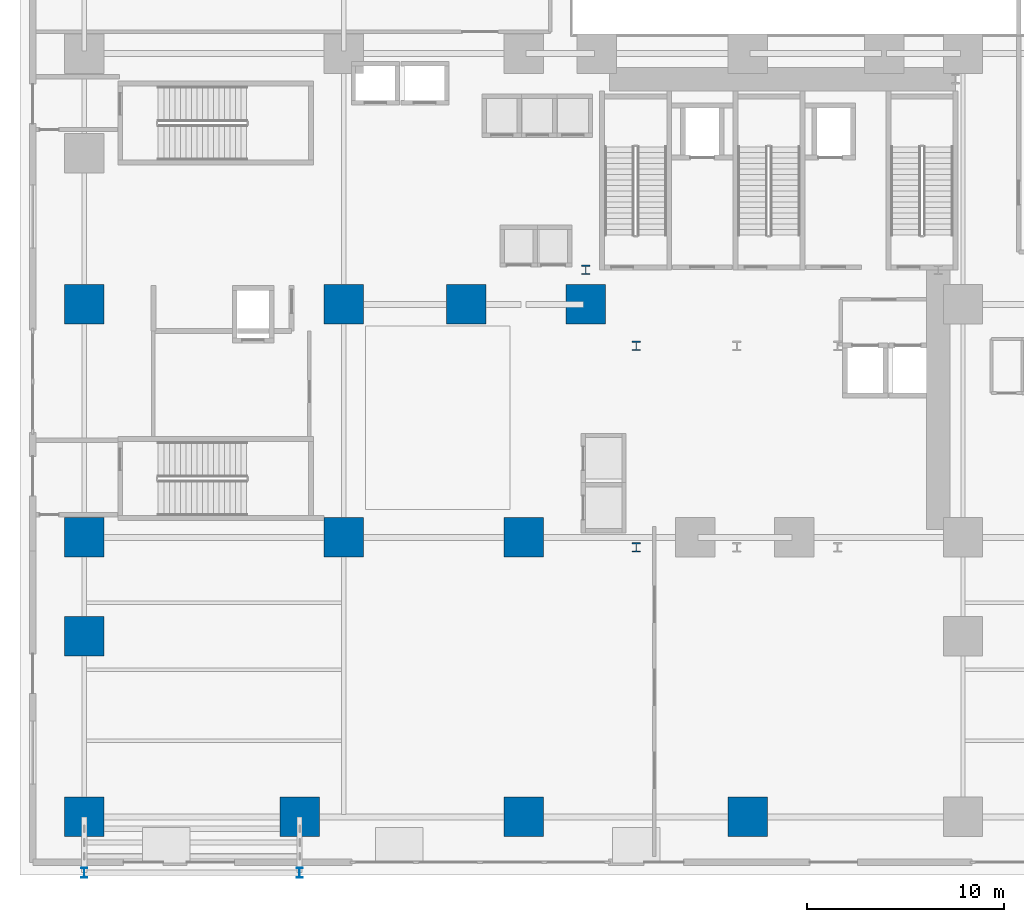
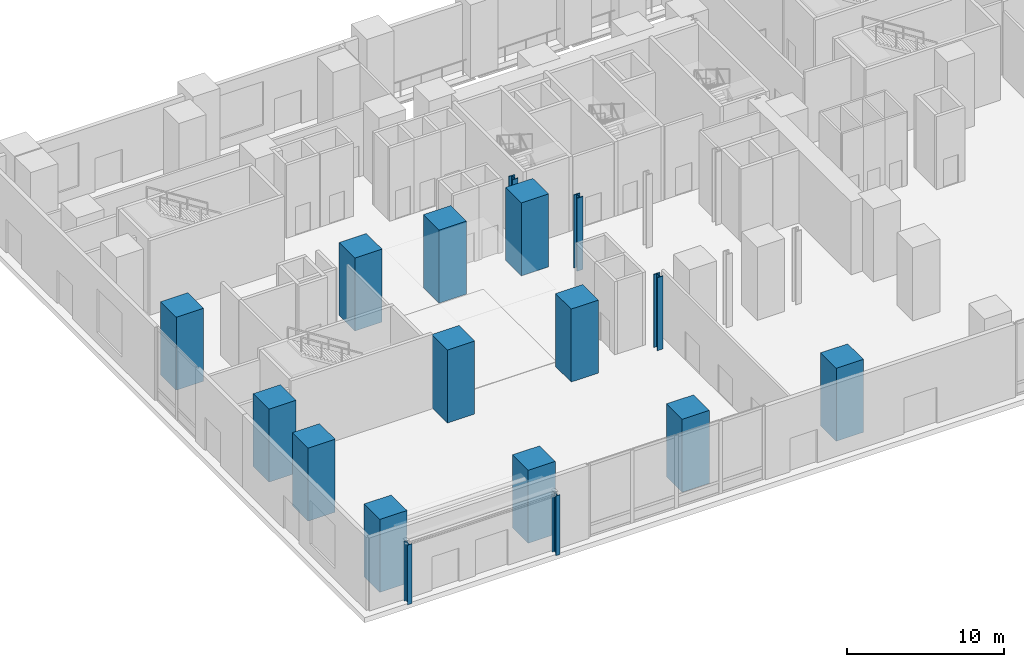
# One storey, part 1 of 25: 17 columns.
"""IFC4 building model written with IfcOpenShell, lengths in metres."""

from ifc_helpers import new_model, si_unit, direction, frame, origin, origin_2d, place, context, subcontext, project, spatial, rectangle, i_section, extrude, source, transform, mapped, material, material_profile, profile_set, type_object, element, save


model = new_model("IFC4")

# Units and contexts
model_context = context("Model", 3, precision=1e-05, world=origin(), true_north=direction((0.0, 1.0)))
body_context = subcontext(model_context, "Body", "Model", "MODEL_VIEW")
ifc_project = project(units=[si_unit("LENGTHUNIT", "METRE"), si_unit("AREAUNIT", "SQUARE_METRE"), si_unit("VOLUMEUNIT", "CUBIC_METRE"), si_unit("PLANEANGLEUNIT", "RADIAN"), si_unit("MASSUNIT", "GRAM", prefix="KILO")], contexts=[model_context])

# Site, building, storey
site_placement = place(None, origin())
site = spatial("IfcSite", under=ifc_project, at=site_placement, CompositionType="ELEMENT")
building_placement = place(site_placement, origin())
building = spatial("IfcBuilding", under=site, at=building_placement, Name="Vardaveli Station Tower", CompositionType="ELEMENT")
storey_placement = place(building_placement, origin())
storey = spatial("IfcBuildingStorey", under=building, at=storey_placement, Name="L01", CompositionType="ELEMENT", Elevation=0.0)

# Columns
ifc_material_1 = material(Name="Structural steel S460M", Category="steel")
ifc_material_profile_1 = material_profile(ifc_material_1, i_section(OverallWidth=0.427978515625, OverallDepth=0.48095703125, WebThickness=0.03955078125, FlangeThickness=0.0634765625, FilletRadius=0.014892578125, at=origin_2d()), Name="HD 400x677")
ifc_profile_set_1 = profile_set([ifc_material_profile_1], Name="Structural steel S460M")
column_type_1 = type_object("IfcColumnType", Name="COL-HD677", PredefinedType="COLUMN", material=ifc_profile_set_1)
shared_shape_1 = source(origin(), body_context, "Body", "SweptSolid", [
    extrude(i_section(OverallWidth=0.427978515625, OverallDepth=0.48095703125, WebThickness=0.03955078125, FlangeThickness=0.0634765625, FilletRadius=0.014892578125, at=origin_2d()), origin(), (0.0, 0.0, 1.0), 5.679931640625),
])
for number, where, z_axis, x_axis, name in (
    (1, (31.199951171875, 16.60009765625, 0.0), (0.0, 0.0, 1.0), (1.0, 0.0, 0.0), "COL-L01-AC1"),
    (2, (31.199951171875, 26.800048828125, 0.0), (0.0, 0.0, 1.0), (1.0, 0.0, 0.0), "COL-L01-AC6"),
    (3, (28.64990234375, 30.64990234375, 0.0), (0.0, 0.0, 1.0), (1.0, 0.0, 0.0), "COL-L01-CC1"),
):
    element("IfcColumn", number, at=place(storey_placement, frame(where, z_axis=z_axis, x_axis=x_axis)), inside=storey, type_object=column_type_1, Name=name, PredefinedType="COLUMN", context=body_context, shape_type="MappedRepresentation", body=[
        mapped(shared_shape_1, transform((0.0, 0.0, 0.0), scale=1.0)),
    ])
ifc_material_2 = material(Name="Concrete C70/85", Category="concrete")
ifc_material_profile_2 = material_profile(ifc_material_2, rectangle(XDim=2.0, YDim=2.0, at=origin_2d()), Name="SC 2000x2000")
ifc_profile_set_2 = profile_set([ifc_material_profile_2], Name="Concrete C70/85")
column_type_2 = type_object("IfcColumnType", Name="COL-SC-2000", PredefinedType="COLUMN", material=ifc_profile_set_2)
shared_shape_2 = source(origin(), body_context, "Body", "SweptSolid", [
    extrude(rectangle(XDim=2.0, YDim=2.0, at=origin_2d()), origin(), (0.0, 0.0, 1.0), 5.679931640625),
])
for number, where, z_axis, x_axis, name in (
    (4, (3.25, 2.949951171875, 0.0), (0.0, 0.0, 1.0), (1.0, 0.0, 0.0), "COL-L01-SC01"),
    (5, (14.159912109375, 2.949951171875, 0.0), (0.0, 0.0, 1.0), (1.0, 0.0, 0.0), "COL-L01-SC02"),
    (6, (25.5, 2.949951171875, 0.0), (0.0, 0.0, 1.0), (1.0, 0.0, 0.0), "COL-L01-SC03"),
    (7, (36.840087890625, 2.949951171875, 0.0), (0.0, 0.0, 1.0), (1.0, 0.0, 0.0), "COL-L01-SC04"),
    (8, (3.25, 12.10009765625, 0.0), (0.0, 0.0, 1.0), (1.0, 0.0, 0.0), "COL-L01-SC08"),
    (9, (3.25, 17.10009765625, 0.0), (0.0, 0.0, 1.0), (1.0, 0.0, 0.0), "COL-L01-SC10"),
    (10, (16.39990234375, 17.10009765625, 0.0), (0.0, 0.0, 1.0), (1.0, 0.0, 0.0), "COL-L01-SC11"),
    (11, (25.5, 17.10009765625, 0.0), (0.0, 0.0, 1.0), (1.0, 0.0, 0.0), "COL-L01-SC12"),
    (12, (3.25, 28.89990234375, 0.0), (0.0, 0.0, 1.0), (1.0, 0.0, 0.0), "COL-L01-SC16"),
    (13, (16.39990234375, 28.89990234375, 0.0), (0.0, 0.0, 1.0), (1.0, 0.0, 0.0), "COL-L01-SC17"),
    (14, (22.60009765625, 28.89990234375, 0.0), (0.0, 0.0, 1.0), (1.0, 0.0, 0.0), "COL-L01-SC17B"),
    (15, (28.64990234375, 28.89990234375, 0.0), (0.0, 0.0, 1.0), (1.0, 0.0, 0.0), "COL-L01-SC17C"),
):
    element("IfcColumn", number, at=place(storey_placement, frame(where, z_axis=z_axis, x_axis=x_axis)), inside=storey, type_object=column_type_2, Name=name, PredefinedType="COLUMN", context=body_context, shape_type="MappedRepresentation", body=[
        mapped(shared_shape_2, transform((0.0, 0.0, 0.0), scale=1.0)),
    ])
ifc_material_3 = material(Name="Structural steel S355J2", Category="steel")
ifc_material_profile_3 = material_profile(ifc_material_3, i_section(OverallWidth=0.300048828125, OverallDepth=0.5, WebThickness=0.014404296875, FlangeThickness=0.028076171875, FilletRadius=0.027099609375, at=origin_2d()), Name="HEB 500")
ifc_profile_set_3 = profile_set([ifc_material_profile_3], Name="Structural steel S355J2")
column_type_3 = type_object("IfcColumnType", Name="COL-HEB500", PredefinedType="COLUMN", material=ifc_profile_set_3)
shared_shape_3 = source(origin(), body_context, "Body", "SweptSolid", [
    extrude(i_section(OverallWidth=0.300048828125, OverallDepth=0.5, WebThickness=0.014404296875, FlangeThickness=0.028076171875, FilletRadius=0.027099609375, at=origin_2d()), origin(), (0.0, 0.0, 1.0), 4.64990234375),
])
for number, where, z_axis, x_axis, name in (
    (16, (3.25, 0.1201171875, 0.0), (0.0, 0.0, 1.0), (1.0, 0.0, 0.0), "CNC-S1-1"),
    (17, (14.159912109375, 0.1201171875, 0.0), (0.0, 0.0, 1.0), (1.0, 0.0, 0.0), "CNC-S1-2"),
):
    element("IfcColumn", number, at=place(storey_placement, frame(where, z_axis=z_axis, x_axis=x_axis)), inside=storey, type_object=column_type_3, Name=name, PredefinedType="COLUMN", context=body_context, shape_type="MappedRepresentation", body=[
        mapped(shared_shape_3, transform((0.0, 0.0, 0.0), scale=1.0)),
    ])

save(model, "model.ifc")
